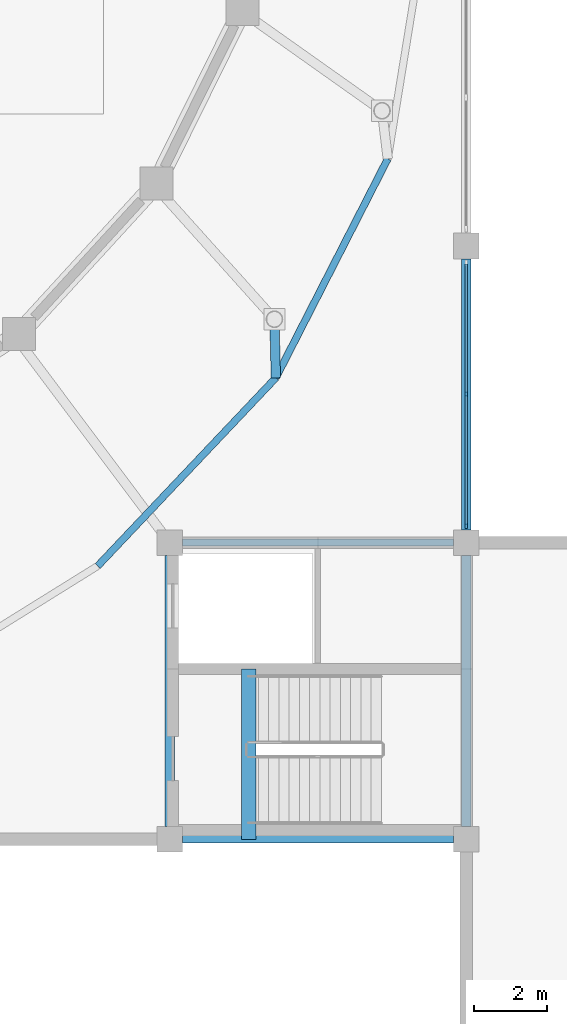
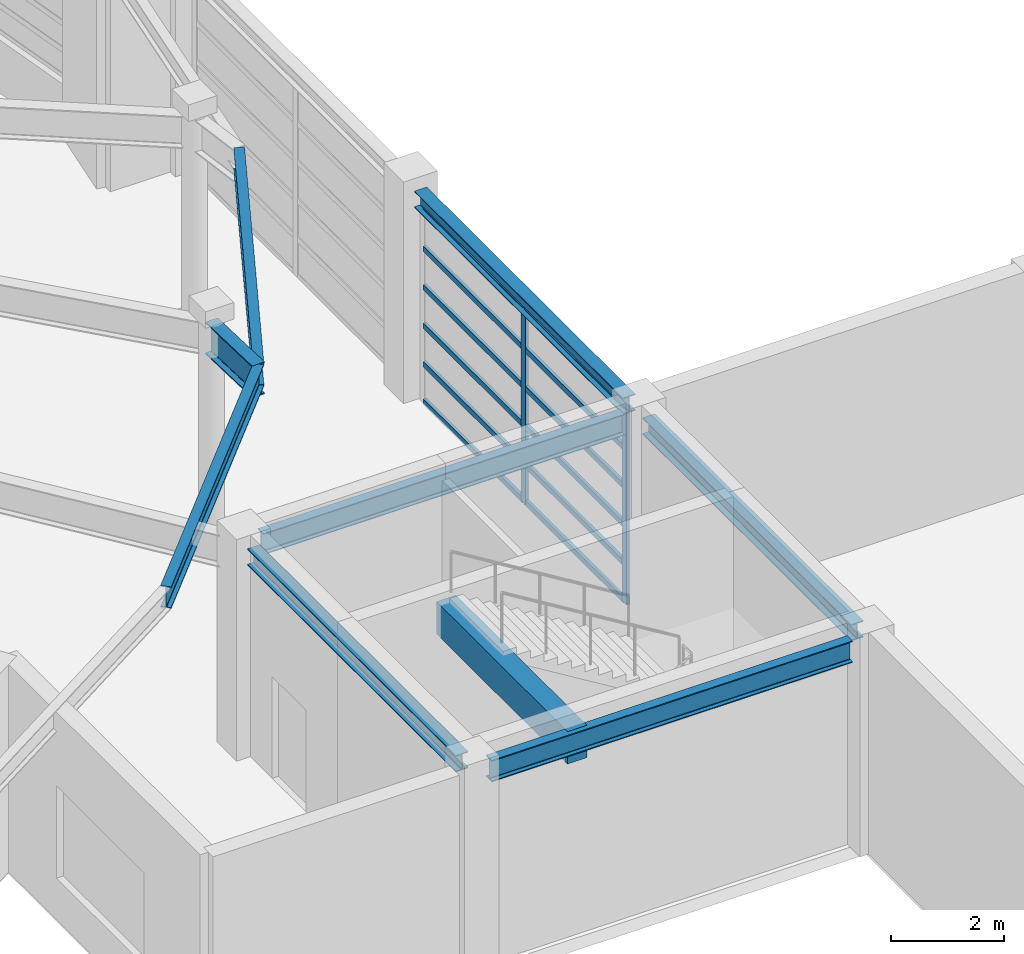
# One storey, part 17 of 56: 14 members, 9 beams, 1 element without a shape of its own.
"""IFC4 building model written with IfcOpenShell, lengths in metres."""

from ifc_helpers import new_model, si_unit, direction, frame, origin, origin_2d, place, context, subcontext, project, spatial, rectangle, i_section, extrude, material, material_profile, profile_set, type_object, element, aggregate, save


model = new_model("IFC4")

# Units and contexts
model_context = context("Model", 3, precision=1e-05, world=origin(), true_north=direction((0.0, 1.0)))
body_context = subcontext(model_context, "Body", "Model", "MODEL_VIEW")
ifc_project = project(units=[si_unit("LENGTHUNIT", "METRE"), si_unit("AREAUNIT", "SQUARE_METRE"), si_unit("VOLUMEUNIT", "CUBIC_METRE"), si_unit("PLANEANGLEUNIT", "RADIAN"), si_unit("MASSUNIT", "GRAM", prefix="KILO")], contexts=[model_context])

# Site, building, storey
site_placement = place(None, origin())
site = spatial("IfcSite", under=ifc_project, at=site_placement, CompositionType="ELEMENT")
building_placement = place(site_placement, origin())
building = spatial("IfcBuilding", under=site, at=building_placement, Name="Parian Resonance Hall", CompositionType="ELEMENT")
storey_placement = place(building_placement, frame((0.0, 0.0, 5.39990234375)))
storey = spatial("IfcBuildingStorey", under=building, at=storey_placement, Name="L01", CompositionType="ELEMENT", Elevation=5.39990234375)

# Beams
ifc_material_1 = material(Name="Concrete C40/50", Category="concrete")
ifc_material_profile_1 = material_profile(ifc_material_1, rectangle(XDim=0.39990234375, YDim=0.699951171875, at=origin_2d()), Name="RC-BM-400x700")
ifc_profile_set_1 = profile_set([ifc_material_profile_1], Name="Concrete C40/50")
beam_type_1 = type_object("IfcBeamType", Name="BM-RC400x700", PredefinedType="BEAM", material=ifc_profile_set_1)
beam_1_placement = place(storey_placement, frame((66.9599609375, 16.199951171875, 4.18017578125), z_axis=(0.0, 1.0, 0.0), x_axis=(-1.0, 0.0, 0.0)))
element("IfcBeam", 1, at=beam_1_placement, inside=storey, type_object=beam_type_1, Name="Core K3 stair arrival trimmer beam L01", PredefinedType="BEAM", context=body_context, shape_type="SweptSolid", body=[
    extrude(rectangle(XDim=0.39990234375, YDim=0.699951171875, at=origin_2d()), origin(), (0.0, 0.0, 1.0), 4.650146484375),
])
ifc_material_2 = material(Name="Steel S355", Category="steel")
ifc_material_profile_2 = material_profile(ifc_material_2, i_section(OverallWidth=0.2548828125, OverallDepth=0.35693359375, WebThickness=0.010498046875, FlangeThickness=0.018310546875, FilletRadius=0.01513671875, at=origin_2d()), Name="W360x101")
ifc_profile_set_2 = profile_set([ifc_material_profile_2], Name="Steel S355")
beam_type_2 = type_object("IfcBeamType", Name="BM-W360x101", PredefinedType="SPANDREL", material=ifc_profile_set_2)
for number, where, z_axis, x_axis, name in (
    (2, (64.800048828125, 16.550048828125, 4.3515625), (0.0, 1.0, 0.0), (-1.0, 0.0, 0.0), "GY-L01-0605"),
    (3, (72.89990234375, 16.550048828125, 4.3515625), (0.0, 1.0, 0.0), (-1.0, 0.0, 0.0), "GY-L01-0608"),
):
    element("IfcBeam", number, at=place(storey_placement, frame(where, z_axis=z_axis, x_axis=x_axis)), inside=storey, type_object=beam_type_2, Name=name, PredefinedType="SPANDREL", context=body_context, shape_type="SweptSolid", body=[
        extrude(i_section(OverallWidth=0.2548828125, OverallDepth=0.35693359375, WebThickness=0.010498046875, FlangeThickness=0.018310546875, FilletRadius=0.01513671875, at=origin_2d()), origin(), (0.0, 0.0, 1.0), 7.39990234375),
    ])
beam_2_placement = place(storey_placement, frame((72.89990234375, 24.64990234375, 4.3515625), z_axis=(0.0, 1.0, 0.0), x_axis=(-1.0, 0.0, 0.0)))
element("IfcBeam", 4, at=beam_2_placement, inside=storey, type_object=beam_type_2, Name="GY-L01-0609", PredefinedType="SPANDREL", context=body_context, shape_type="SweptSolid", body=[
    extrude(i_section(OverallWidth=0.2548828125, OverallDepth=0.35693359375, WebThickness=0.010498046875, FlangeThickness=0.018310546875, FilletRadius=0.01513671875, at=origin_2d()), origin(), (0.0, 0.0, 1.0), 7.400146484375),
])
ifc_material_3 = material(Name="Steel S355", Category="steel")
ifc_material_profile_3 = material_profile(ifc_material_3, i_section(OverallWidth=0.194091796875, OverallDepth=0.468994140625, WebThickness=0.0126953125, FlangeThickness=0.0205078125, FilletRadius=0.01513671875, at=origin_2d()), Name="W460x106")
ifc_profile_set_3 = profile_set([ifc_material_profile_3], Name="Steel S355")
beam_type_3 = type_object("IfcBeamType", Name="BM-W460x106", PredefinedType="SPANDREL", material=ifc_profile_set_3)
beam_3_placement = place(storey_placement, frame((65.14990234375, 16.199951171875, 4.295654296875), z_axis=(1.0, 0.0, 0.0), x_axis=(0.0, 1.0, 0.0)))
element("IfcBeam", 5, at=beam_3_placement, inside=storey, type_object=beam_type_3, Name="GX-L01-0541", PredefinedType="SPANDREL", context=body_context, shape_type="SweptSolid", body=[
    extrude(i_section(OverallWidth=0.194091796875, OverallDepth=0.468994140625, WebThickness=0.0126953125, FlangeThickness=0.0205078125, FilletRadius=0.01513671875, at=origin_2d()), origin(), (0.0, 0.0, 1.0), 7.400146484375),
])
beam_4_placement = place(storey_placement, frame((62.83740234375, 23.663818359375, 4.295654296875), z_axis=(0.687531120704, 0.726154913268, 0.0), x_axis=(-0.726154913268, 0.687531120704, 0.0)))
element("IfcBeam", 6, at=beam_4_placement, inside=storey, type_object=beam_type_3, Name="Elliptical R2 perimeter spandrel beam 22", PredefinedType="SPANDREL", context=body_context, shape_type="SweptSolid", body=[
    extrude(i_section(OverallWidth=0.194091796875, OverallDepth=0.468994140625, WebThickness=0.0126953125, FlangeThickness=0.0205078125, FilletRadius=0.01513671875, at=origin_2d()), origin(), (0.0, 0.0, 1.0), 7.0732421875),
])
beam_5_placement = place(storey_placement, frame((67.700439453125, 28.800048828125, 4.295654296875), z_axis=(0.45509056691, 0.890445156037, 0.0), x_axis=(-0.890445156037, 0.45509056691, 0.0)))
element("IfcBeam", 7, at=beam_5_placement, inside=storey, type_object=beam_type_3, Name="Elliptical R2 perimeter spandrel beam 23", PredefinedType="SPANDREL", context=body_context, shape_type="SweptSolid", body=[
    extrude(i_section(OverallWidth=0.194091796875, OverallDepth=0.468994140625, WebThickness=0.0126953125, FlangeThickness=0.0205078125, FilletRadius=0.01513671875, at=origin_2d()), origin(), (0.0, 0.0, 1.0), 6.717041015625),
])
ifc_material_4 = material(Name="Steel S355", Category="steel")
ifc_material_profile_4 = material_profile(ifc_material_4, i_section(OverallWidth=0.19091796875, OverallDepth=0.4599609375, WebThickness=0.010009765625, FlangeThickness=0.01611328125, FilletRadius=0.01513671875, at=origin_2d()), Name="W460x82")
ifc_profile_set_4 = profile_set([ifc_material_profile_4], Name="Steel S355")
beam_type_4 = type_object("IfcBeamType", Name="BM-W460x82", PredefinedType="BEAM", material=ifc_profile_set_4)
beam_6_placement = place(storey_placement, frame((65.14990234375, 24.300048828125, 4.300048828125), z_axis=(1.0, 0.0, 0.0), x_axis=(0.0, 1.0, 0.0)))
element("IfcBeam", 8, at=beam_6_placement, inside=storey, type_object=beam_type_4, Name="GX-L01-0542", PredefinedType="BEAM", context=body_context, shape_type="SweptSolid", body=[
    extrude(i_section(OverallWidth=0.19091796875, OverallDepth=0.4599609375, WebThickness=0.010009765625, FlangeThickness=0.01611328125, FilletRadius=0.01513671875, at=origin_2d()), origin(), (0.0, 0.0, 1.0), 7.400146484375),
])
ifc_material_5 = material(Name="Steel S355", Category="steel")
ifc_material_profile_5 = material_profile(ifc_material_5, i_section(OverallWidth=0.256103515625, OverallDepth=0.693115234375, WebThickness=0.014404296875, FlangeThickness=0.023681640625, FilletRadius=0.020263671875, at=origin_2d()), Name="W690x170")
ifc_profile_set_5 = profile_set([ifc_material_profile_5], Name="Steel S355")
beam_type_5 = type_object("IfcBeamType", Name="CG2 W690x170", PredefinedType="USERDEFINED", material=ifc_profile_set_5)
beam_7_placement = place(storey_placement, frame((67.6611328125, 30.39990234375, 4.18359375), z_axis=(0.024561487823, -0.999698321153, 0.0), x_axis=(0.999698321153, 0.024561487823, 0.0)))
element("IfcBeam", 9, at=beam_7_placement, inside=storey, type_object=beam_type_5, Name="Radial ring cantilever girder R2-23", ObjectType="GIRDER", PredefinedType="USERDEFINED", context=body_context, shape_type="SweptSolid", body=[
    extrude(i_section(OverallWidth=0.256103515625, OverallDepth=0.693115234375, WebThickness=0.014404296875, FlangeThickness=0.023681640625, FilletRadius=0.020263671875, at=origin_2d()), origin(), (0.0, 0.0, 1.0), 1.600341796875),
])

# Curtain wall, members
ifc_material_6 = material(Name="Bronze-anodised aluminium frame", Category="aluminium")
curtain_wall_type = type_object("IfcCurtainWallType", Name="CW-SYS-04", PredefinedType="NOTDEFINED", material=ifc_material_6)
curtain_wall_placement = place(storey_placement, origin())
curtain_wall = element("IfcCurtainWall", 10, at=curtain_wall_placement, inside=storey, type_object=curtain_wall_type, Name="Curtain wall CW-L01-131", PredefinedType="NOTDEFINED")
ifc_material_7 = material(Name="Bronze-anodised aluminium frame", Category="aluminium")
ifc_material_profile_6 = material_profile(ifc_material_7, rectangle(XDim=0.06494140625, YDim=0.159912109375, at=origin_2d()), Name="CWM-65x160")
ifc_profile_set_6 = profile_set([ifc_material_profile_6], Name="Bronze-anodised aluminium frame")
member_type_1 = type_object("IfcMemberType", Name="CWM-65x160", PredefinedType="MULLION", material=ifc_profile_set_6)
member_1_placement = place(storey_placement, frame((72.89990234375, 28.35009765625, -0.0078125), z_axis=(0.0, 0.0, 1.0), x_axis=(1.0, 0.0, 0.0)))
member_1 = element("IfcMember", 11, at=member_1_placement, type_object=member_type_1, Name="CW-04 mullion 2", PredefinedType="MULLION", context=body_context, shape_type="SweptSolid", body=[
    extrude(rectangle(XDim=0.06494140625, YDim=0.159912109375, at=origin_2d()), origin(), (0.0, 0.0, 1.0), 4.184814453125),
])
member_2_placement = place(storey_placement, frame((72.89990234375, 24.762451171875, -0.0078125), z_axis=(0.0, 0.0, 1.0), x_axis=(1.0, 0.0, 0.0)))
member_2 = element("IfcMember", 12, at=member_2_placement, type_object=member_type_1, Name="CW-04 mullion 3", PredefinedType="MULLION", context=body_context, shape_type="SweptSolid", body=[
    extrude(rectangle(XDim=0.06494140625, YDim=0.159912109375, at=origin_2d()), origin(), (0.0, 0.0, 1.0), 4.184814453125),
])
ifc_material_8 = material(Name="Bronze-anodised aluminium frame", Category="aluminium")
ifc_material_profile_7 = material_profile(ifc_material_8, rectangle(XDim=0.06494140625, YDim=0.1201171875, at=origin_2d()), Name="CWT-65x120")
ifc_profile_set_7 = profile_set([ifc_material_profile_7], Name="Bronze-anodised aluminium frame")
member_type_2 = type_object("IfcMemberType", Name="CWT-65x120", PredefinedType="USERDEFINED", material=ifc_profile_set_7)
member_3_placement = place(storey_placement, frame((72.89990234375, 31.905029296875, 0.024658203125), z_axis=(0.0, -1.0, 0.0), x_axis=(1.0, 0.0, 0.0)))
member_3 = element("IfcMember", 13, at=member_3_placement, type_object=member_type_2, Name="CW-04 transom 1.1", ObjectType="TRANSOM", PredefinedType="USERDEFINED", context=body_context, shape_type="SweptSolid", body=[
    extrude(rectangle(XDim=0.06494140625, YDim=0.1201171875, at=origin_2d()), origin(), (0.0, 0.0, 1.0), 3.5224609375),
])
member_4_placement = place(storey_placement, frame((72.89990234375, 31.905029296875, 0.83349609375), z_axis=(0.0, -1.0, 0.0), x_axis=(1.0, 0.0, 0.0)))
member_4 = element("IfcMember", 14, at=member_4_placement, type_object=member_type_2, Name="CW-04 transom 1.2", ObjectType="TRANSOM", PredefinedType="USERDEFINED", context=body_context, shape_type="SweptSolid", body=[
    extrude(rectangle(XDim=0.06494140625, YDim=0.1201171875, at=origin_2d()), origin(), (0.0, 0.0, 1.0), 3.5224609375),
])
member_5_placement = place(storey_placement, frame((72.89990234375, 31.905029296875, 1.6669921875), z_axis=(0.0, -1.0, 0.0), x_axis=(1.0, 0.0, 0.0)))
member_5 = element("IfcMember", 15, at=member_5_placement, type_object=member_type_2, Name="CW-04 transom 1.3", ObjectType="TRANSOM", PredefinedType="USERDEFINED", context=body_context, shape_type="SweptSolid", body=[
    extrude(rectangle(XDim=0.06494140625, YDim=0.1201171875, at=origin_2d()), origin(), (0.0, 0.0, 1.0), 3.5224609375),
])
member_6_placement = place(storey_placement, frame((72.89990234375, 31.905029296875, 2.500244140625), z_axis=(0.0, -1.0, 0.0), x_axis=(1.0, 0.0, 0.0)))
member_6 = element("IfcMember", 16, at=member_6_placement, type_object=member_type_2, Name="CW-04 transom 1.4", ObjectType="TRANSOM", PredefinedType="USERDEFINED", context=body_context, shape_type="SweptSolid", body=[
    extrude(rectangle(XDim=0.06494140625, YDim=0.1201171875, at=origin_2d()), origin(), (0.0, 0.0, 1.0), 3.5224609375),
])
member_7_placement = place(storey_placement, frame((72.89990234375, 31.905029296875, 3.333740234375), z_axis=(0.0, -1.0, 0.0), x_axis=(1.0, 0.0, 0.0)))
member_7 = element("IfcMember", 17, at=member_7_placement, type_object=member_type_2, Name="CW-04 transom 1.5", ObjectType="TRANSOM", PredefinedType="USERDEFINED", context=body_context, shape_type="SweptSolid", body=[
    extrude(rectangle(XDim=0.06494140625, YDim=0.1201171875, at=origin_2d()), origin(), (0.0, 0.0, 1.0), 3.5224609375),
])
member_8_placement = place(storey_placement, frame((72.89990234375, 31.905029296875, 4.14453125), z_axis=(0.0, -1.0, 0.0), x_axis=(1.0, 0.0, 0.0)))
member_8 = element("IfcMember", 18, at=member_8_placement, type_object=member_type_2, Name="CW-04 transom 1.6", ObjectType="TRANSOM", PredefinedType="USERDEFINED", context=body_context, shape_type="SweptSolid", body=[
    extrude(rectangle(XDim=0.06494140625, YDim=0.1201171875, at=origin_2d()), origin(), (0.0, 0.0, 1.0), 3.5224609375),
])
member_9_placement = place(storey_placement, frame((72.89990234375, 28.3173828125, 0.024658203125), z_axis=(0.0, -1.0, 0.0), x_axis=(1.0, 0.0, 0.0)))
member_9 = element("IfcMember", 19, at=member_9_placement, type_object=member_type_2, Name="CW-04 transom 2.1", ObjectType="TRANSOM", PredefinedType="USERDEFINED", context=body_context, shape_type="SweptSolid", body=[
    extrude(rectangle(XDim=0.06494140625, YDim=0.1201171875, at=origin_2d()), origin(), (0.0, 0.0, 1.0), 3.5224609375),
])
member_10_placement = place(storey_placement, frame((72.89990234375, 28.3173828125, 0.83349609375), z_axis=(0.0, -1.0, 0.0), x_axis=(1.0, 0.0, 0.0)))
member_10 = element("IfcMember", 20, at=member_10_placement, type_object=member_type_2, Name="CW-04 transom 2.2", ObjectType="TRANSOM", PredefinedType="USERDEFINED", context=body_context, shape_type="SweptSolid", body=[
    extrude(rectangle(XDim=0.06494140625, YDim=0.1201171875, at=origin_2d()), origin(), (0.0, 0.0, 1.0), 3.5224609375),
])
member_11_placement = place(storey_placement, frame((72.89990234375, 28.3173828125, 1.6669921875), z_axis=(0.0, -1.0, 0.0), x_axis=(1.0, 0.0, 0.0)))
member_11 = element("IfcMember", 21, at=member_11_placement, type_object=member_type_2, Name="CW-04 transom 2.3", ObjectType="TRANSOM", PredefinedType="USERDEFINED", context=body_context, shape_type="SweptSolid", body=[
    extrude(rectangle(XDim=0.06494140625, YDim=0.1201171875, at=origin_2d()), origin(), (0.0, 0.0, 1.0), 3.5224609375),
])
member_12_placement = place(storey_placement, frame((72.89990234375, 28.3173828125, 2.500244140625), z_axis=(0.0, -1.0, 0.0), x_axis=(1.0, 0.0, 0.0)))
member_12 = element("IfcMember", 22, at=member_12_placement, type_object=member_type_2, Name="CW-04 transom 2.4", ObjectType="TRANSOM", PredefinedType="USERDEFINED", context=body_context, shape_type="SweptSolid", body=[
    extrude(rectangle(XDim=0.06494140625, YDim=0.1201171875, at=origin_2d()), origin(), (0.0, 0.0, 1.0), 3.5224609375),
])
member_13_placement = place(storey_placement, frame((72.89990234375, 28.3173828125, 3.333740234375), z_axis=(0.0, -1.0, 0.0), x_axis=(1.0, 0.0, 0.0)))
member_13 = element("IfcMember", 23, at=member_13_placement, type_object=member_type_2, Name="CW-04 transom 2.5", ObjectType="TRANSOM", PredefinedType="USERDEFINED", context=body_context, shape_type="SweptSolid", body=[
    extrude(rectangle(XDim=0.06494140625, YDim=0.1201171875, at=origin_2d()), origin(), (0.0, 0.0, 1.0), 3.5224609375),
])
member_14_placement = place(storey_placement, frame((72.89990234375, 28.3173828125, 4.14453125), z_axis=(0.0, -1.0, 0.0), x_axis=(1.0, 0.0, 0.0)))
member_14 = element("IfcMember", 24, at=member_14_placement, type_object=member_type_2, Name="CW-04 transom 2.6", ObjectType="TRANSOM", PredefinedType="USERDEFINED", context=body_context, shape_type="SweptSolid", body=[
    extrude(rectangle(XDim=0.06494140625, YDim=0.1201171875, at=origin_2d()), origin(), (0.0, 0.0, 1.0), 3.5224609375),
])
aggregate(curtain_wall, [member_1, member_2, member_3, member_4, member_5, member_6, member_7, member_8, member_9, member_10, member_11, member_12, member_13, member_14])

save(model, "model.ifc")
